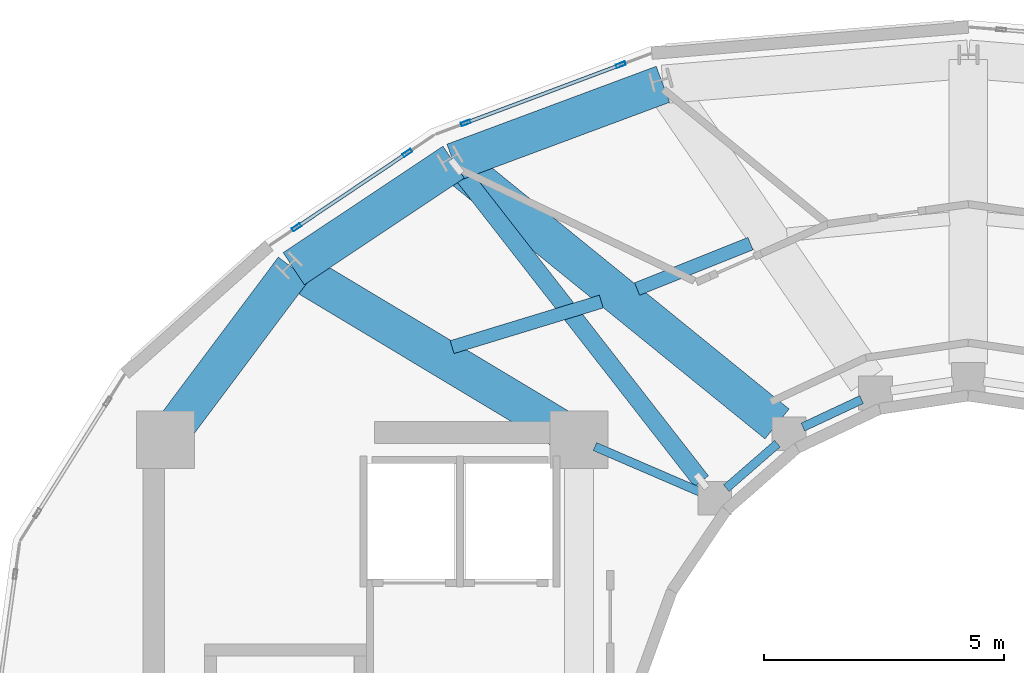
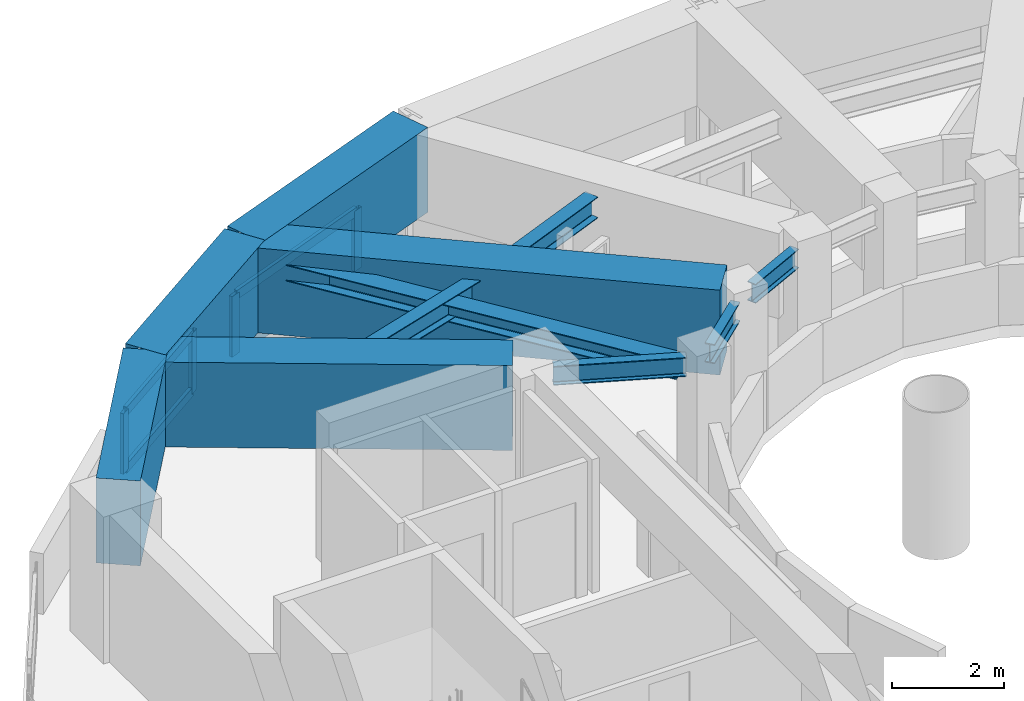
# One storey, part 7 of 17: 10 beams, 9 members, 2 elements without a shape of their own.
"""IFC4 building model written with IfcOpenShell, lengths in metres."""

from ifc_helpers import new_model, si_unit, direction, frame, origin, origin_2d, place, context, subcontext, project, spatial, rectangle, hollow_rectangle, i_section, extrude, material, layer, layer_set, material_profile, profile_set, type_object, element, aggregate, save


model = new_model("IFC4")

# Units and contexts
model_context = context("Model", 3, precision=1e-05, world=origin(), true_north=direction((0.0, 1.0)))
body_context = subcontext(model_context, "Body", "Model", "MODEL_VIEW")
ifc_project = project(units=[si_unit("LENGTHUNIT", "METRE"), si_unit("AREAUNIT", "SQUARE_METRE"), si_unit("VOLUMEUNIT", "CUBIC_METRE"), si_unit("PLANEANGLEUNIT", "RADIAN"), si_unit("MASSUNIT", "GRAM", prefix="KILO")], contexts=[model_context])

# Site, building, storey
site_placement = place(None, origin())
site = spatial("IfcSite", under=ifc_project, at=site_placement, CompositionType="ELEMENT")
building_placement = place(site_placement, origin())
building = spatial("IfcBuilding", under=site, at=building_placement, Name="Solvane Sanctuary Tower", CompositionType="ELEMENT")
storey_placement = place(building_placement, frame((0.0, 0.0, 270.0)))
storey = spatial("IfcBuildingStorey", under=building, at=storey_placement, Name="L82", CompositionType="ELEMENT", Elevation=270.0)

# Beams
ifc_material_1 = material(Name="Steel ASTM A992 Grade 50", Category="steel")
ifc_material_profile_1 = material_profile(ifc_material_1, i_section(OverallWidth=0.180908203125, OverallDepth=0.4169921875, WebThickness=0.010986328125, FlangeThickness=0.018310546875, FilletRadius=0.012939453125, at=origin_2d()), Name="W16X57")
ifc_profile_set_1 = profile_set([ifc_material_profile_1], Name="Steel ASTM A992 Grade 50")
beam_type_1 = type_object("IfcBeamType", Name="Beam B-ROOF-BM W16X57", PredefinedType="BEAM", material=ifc_profile_set_1)
beam_1_placement = place(storey_placement, frame((24.230712890625, 30.0576171875, 2.7294921875), z_axis=(0.918283854026, -0.395922673554, 0.0), x_axis=(0.395922673554, 0.918283854026, 0.0)))
element("IfcBeam", 1, at=beam_1_placement, inside=storey, type_object=beam_type_1, Name="L82 Inner Light-Well Ring Beam CW3-IC07", PredefinedType="BEAM", context=body_context, shape_type="SweptSolid", body=[
    extrude(i_section(OverallWidth=0.180908203125, OverallDepth=0.4169921875, WebThickness=0.010986328125, FlangeThickness=0.018310546875, FilletRadius=0.012939453125, at=origin_2d()), origin(), (0.0, 0.0, 1.0), 2.396240234375),
])
beam_2_placement = place(storey_placement, frame((26.96630859375, 29.192138671875, 2.7294921875), z_axis=(0.754388985763, 0.656427648839, 0.0), x_axis=(-0.656427648839, 0.754388985763, 0.0)))
element("IfcBeam", 2, at=beam_2_placement, inside=storey, type_object=beam_type_1, Name="L82 Inner Light-Well Ring Beam IC07-IC06", PredefinedType="BEAM", context=body_context, shape_type="SweptSolid", body=[
    extrude(i_section(OverallWidth=0.180908203125, OverallDepth=0.4169921875, WebThickness=0.010986328125, FlangeThickness=0.018310546875, FilletRadius=0.012939453125, at=origin_2d()), origin(), (0.0, 0.0, 1.0), 1.408203125),
])
beam_3_placement = place(storey_placement, frame((28.5595703125, 30.462646484375, 2.7294921875), z_axis=(0.905134542189, 0.425125229241, 0.0), x_axis=(-0.425125229241, 0.905134542189, 0.0)))
element("IfcBeam", 3, at=beam_3_placement, inside=storey, type_object=beam_type_1, Name="L82 Inner Light-Well Ring Beam IC06-IC05", PredefinedType="BEAM", context=body_context, shape_type="SweptSolid", body=[
    extrude(i_section(OverallWidth=0.180908203125, OverallDepth=0.4169921875, WebThickness=0.010986328125, FlangeThickness=0.018310546875, FilletRadius=0.012939453125, at=origin_2d()), origin(), (0.0, 0.0, 1.0), 1.347900390625),
])
ifc_material_profile_2 = material_profile(ifc_material_1, i_section(OverallWidth=0.280029296875, OverallDepth=0.462890625, WebThickness=0.0107421875, FlangeThickness=0.017333984375, FilletRadius=0.013916015625, at=origin_2d()), Name="W18X76")
ifc_profile_set_2 = profile_set([ifc_material_profile_2], Name="Steel ASTM A992 Grade 50")
beam_type_2 = type_object("IfcBeamType", Name="Beam B-SEC-JOIST W18X76", PredefinedType="JOIST", material=ifc_profile_set_2)
beam_4_placement = place(storey_placement, frame((21.260498046875, 32.126708984375, 2.70654296875), z_axis=(0.956493340027, 0.291754161041, 0.0), x_axis=(-0.291754161041, 0.956493340027, 0.0)))
element("IfcBeam", 4, at=beam_4_placement, inside=storey, type_object=beam_type_2, Name="L82 Secondary Circumferential Joist 07-06", PredefinedType="JOIST", context=body_context, shape_type="SweptSolid", body=[
    extrude(i_section(OverallWidth=0.280029296875, OverallDepth=0.462890625, WebThickness=0.0107421875, FlangeThickness=0.017333984375, FilletRadius=0.013916015625, at=origin_2d()), origin(), (0.0, 0.0, 1.0), 3.245849609375),
])
beam_5_placement = place(storey_placement, frame((25.109619140625, 33.335693359375, 2.70654296875), z_axis=(0.928403778537, 0.371572905361, 0.0), x_axis=(-0.371572905361, 0.928403778537, 0.0)))
element("IfcBeam", 5, at=beam_5_placement, inside=storey, type_object=beam_type_2, Name="L82 Secondary Circumferential Joist 06-05", PredefinedType="JOIST", context=body_context, shape_type="SweptSolid", body=[
    extrude(i_section(OverallWidth=0.280029296875, OverallDepth=0.462890625, WebThickness=0.0107421875, FlangeThickness=0.017333984375, FilletRadius=0.013916015625, at=origin_2d()), origin(), (0.0, 0.0, 1.0), 2.540771484375),
])
ifc_material_2 = material(Name="Concrete C70/85", Category="concrete")
ifc_material_profile_3 = material_profile(ifc_material_2, rectangle(XDim=0.800048828125, YDim=1.85009765625, at=origin_2d()), Name="RC800X1850")
ifc_profile_set_3 = profile_set([ifc_material_profile_3], Name="Concrete C70/85")
beam_type_3 = type_object("IfcBeamType", Name="Beam B-XFER-BLK RC800X1850", PredefinedType="BEAM", material=ifc_profile_set_3)
beam_6_placement = place(storey_placement, frame((28.021484375, 30.5283203125, 2.27490234375), z_axis=(-0.776498254758, 0.630119401667, 0.0), x_axis=(-0.630119401667, -0.776498254758, 0.0)))
element("IfcBeam", 6, at=beam_6_placement, inside=storey, type_object=beam_type_3, Name="L82 Block-Shift Radial Transfer Girder 06A", PredefinedType="BEAM", context=body_context, shape_type="SweptSolid", body=[
    extrude(rectangle(XDim=0.800048828125, YDim=1.85009765625, at=origin_2d()), origin(), (0.0, 0.0, 1.0), 8.66455078125),
])
beam_7_placement = place(storey_placement, frame((23.59130859375, 30.38525390625, 2.27490234375), z_axis=(-0.857355357387, 0.514724966521, 0.0), x_axis=(-0.514724966521, -0.857355357387, 0.0)))
element("IfcBeam", 7, at=beam_7_placement, inside=storey, type_object=beam_type_3, Name="L82 Block-Shift Radial Transfer Girder 07A", PredefinedType="BEAM", context=body_context, shape_type="SweptSolid", body=[
    extrude(rectangle(XDim=0.800048828125, YDim=1.85009765625, at=origin_2d()), origin(), (0.0, 0.0, 1.0), 6.578125),
])
beam_8_placement = place(storey_placement, frame((15.515869140625, 30.488037109375, 2.27490234375), z_axis=(0.59952185293, 0.800358387136, 0.0), x_axis=(-0.800358387136, 0.59952185293, 0.0)))
element("IfcBeam", 8, at=beam_8_placement, inside=storey, type_object=beam_type_3, Name="L82 Perimeter Step Transfer Ring CW4-NTC07", PredefinedType="BEAM", context=body_context, shape_type="SweptSolid", body=[
    extrude(rectangle(XDim=0.800048828125, YDim=1.85009765625, at=origin_2d()), origin(), (0.0, 0.0, 1.0), 4.085693359375),
])
beam_9_placement = place(storey_placement, frame((17.96533203125, 33.758056640625, 2.27490234375), z_axis=(0.832388474479, 0.55419259067, 0.0), x_axis=(-0.55419259067, 0.832388474479, 0.0)))
element("IfcBeam", 9, at=beam_9_placement, inside=storey, type_object=beam_type_3, Name="L82 Perimeter Step Transfer Ring NTC07-NTC06", PredefinedType="BEAM", context=body_context, shape_type="SweptSolid", body=[
    extrude(rectangle(XDim=0.800048828125, YDim=1.85009765625, at=origin_2d()), origin(), (0.0, 0.0, 1.0), 3.99658203125),
])
beam_10_placement = place(storey_placement, frame((21.2919921875, 35.972900390625, 2.27490234375), z_axis=(0.937181506682, 0.348842118348, 0.0), x_axis=(-0.348842118348, 0.937181506682, 0.0)))
element("IfcBeam", 10, at=beam_10_placement, inside=storey, type_object=beam_type_3, Name="L82 Perimeter Step Transfer Ring NTC06-NTC05", PredefinedType="BEAM", context=body_context, shape_type="SweptSolid", body=[
    extrude(rectangle(XDim=0.800048828125, YDim=1.85009765625, at=origin_2d()), origin(), (0.0, 0.0, 1.0), 4.646484375),
])

# Member
ifc_material_profile_4 = material_profile(ifc_material_1, i_section(OverallWidth=0.368896484375, OverallDepth=0.35595703125, WebThickness=0.01123046875, FlangeThickness=0.01806640625, FilletRadius=0.02490234375, at=origin_2d()), Name="W14X90")
ifc_profile_set_4 = profile_set([ifc_material_profile_4], Name="Steel ASTM A992 Grade 50")
member_type_1 = type_object("IfcMemberType", Name="Member M-CROWN-TIE W14X90", PredefinedType="CHORD", material=ifc_profile_set_4)
member_1_placement = place(storey_placement, frame((26.4462890625, 29.33984375, 2.54052734375), z_axis=(-0.614546206498, 0.788532701367, 0.02343371403), x_axis=(-0.788749297589, -0.614715011654, 0.0)))
element("IfcMember", 11, at=member_1_placement, inside=storey, type_object=member_type_1, Name="L82 Crown Bracing Tie 07", PredefinedType="CHORD", context=body_context, shape_type="SweptSolid", body=[
    extrude(i_section(OverallWidth=0.368896484375, OverallDepth=0.35595703125, WebThickness=0.01123046875, FlangeThickness=0.01806640625, FilletRadius=0.02490234375, at=origin_2d()), origin(), (0.0, 0.0, 1.0), 8.29296875),
])

# Curtain wall, members
ifc_material_3 = material(Name="Anodised Aluminium 6063-T6", Category="aluminium")
ifc_layer = layer(ifc_material_3, 0.219970703125, Name="Anodised Aluminium 6063-T6")
ifc_layer_set = layer_set([ifc_layer], Name="Anodised Aluminium 6063-T6")
curtain_wall_type = type_object("IfcCurtainWallType", Name="Curtain Wall CW-CROWN", PredefinedType="NOTDEFINED", material=ifc_layer_set)
curtain_wall_1_placement = place(storey_placement, origin())
curtain_wall_1 = element("IfcCurtainWall", 12, at=curtain_wall_1_placement, inside=storey, type_object=curtain_wall_type, Name="L82 Crown Fritted Lantern Curtain Wall 07", PredefinedType="NOTDEFINED")
ifc_material_profile_5 = material_profile(ifc_material_3, hollow_rectangle(XDim=0.074951171875, YDim=0.199951171875, WallThickness=0.00390625, at=origin_2d()), Name="ALU200X75X4")
ifc_profile_set_5 = profile_set([ifc_material_profile_5], Name="Anodised Aluminium 6063-T6")
member_type_2 = type_object("IfcMemberType", Name="Member M-CW-MUL-1 ALU200X75X4", PredefinedType="MULLION", material=ifc_profile_set_5)
member_2_placement = place(storey_placement, frame((24.770751953125, 38.000244140625, 0.0), z_axis=(0.0, 0.0, 1.0), x_axis=(0.351170134187, -0.936311666517, 0.0)))
member_2 = element("IfcMember", 13, at=member_2_placement, type_object=member_type_2, Name="CW-CROWN mullion 1", PredefinedType="MULLION", context=body_context, shape_type="SweptSolid", body=[
    extrude(hollow_rectangle(XDim=0.074951171875, YDim=0.199951171875, WallThickness=0.00390625, at=origin_2d()), origin(), (0.0, 0.0, 1.0), 1.320068359375),
])
member_3_placement = place(storey_placement, frame((21.544677734375, 36.790283203125, 0.0), z_axis=(0.0, 0.0, 1.0), x_axis=(0.351170134187, -0.936311666517, 0.0)))
member_3 = element("IfcMember", 14, at=member_3_placement, type_object=member_type_2, Name="CW-CROWN mullion 2", PredefinedType="MULLION", context=body_context, shape_type="SweptSolid", body=[
    extrude(hollow_rectangle(XDim=0.074951171875, YDim=0.199951171875, WallThickness=0.00390625, at=origin_2d()), origin(), (0.0, 0.0, 1.0), 1.320068359375),
])

curtain_wall_2_placement = place(storey_placement, origin())
curtain_wall_2 = element("IfcCurtainWall", 15, at=curtain_wall_2_placement, inside=storey, type_object=curtain_wall_type, Name="L82 Crown Fritted Lantern Curtain Wall 08", PredefinedType="NOTDEFINED")
member_4_placement = place(storey_placement, frame((20.330078125, 36.165771484375, 0.0), z_axis=(0.0, 0.0, 1.0), x_axis=(0.557125161397, -0.830428536684, 0.0)))
member_4 = element("IfcMember", 16, at=member_4_placement, type_object=member_type_2, Name="CW-CROWN mullion 1", PredefinedType="MULLION", context=body_context, shape_type="SweptSolid", body=[
    extrude(hollow_rectangle(XDim=0.074951171875, YDim=0.199951171875, WallThickness=0.00390625, at=origin_2d()), origin(), (0.0, 0.0, 1.0), 1.320068359375),
])
member_5_placement = place(storey_placement, frame((18.02392578125, 34.61865234375, 0.0), z_axis=(0.0, 0.0, 1.0), x_axis=(0.557125161397, -0.830428536684, 0.0)))
member_5 = element("IfcMember", 17, at=member_5_placement, type_object=member_type_2, Name="CW-CROWN mullion 2", PredefinedType="MULLION", context=body_context, shape_type="SweptSolid", body=[
    extrude(hollow_rectangle(XDim=0.074951171875, YDim=0.199951171875, WallThickness=0.00390625, at=origin_2d()), origin(), (0.0, 0.0, 1.0), 1.320068359375),
])

# Member
ifc_material_profile_6 = material_profile(ifc_material_3, hollow_rectangle(XDim=0.074951171875, YDim=0.199951171875, WallThickness=0.00390625, at=origin_2d()), Name="ALU200X75X4")
ifc_profile_set_6 = profile_set([ifc_material_profile_6], Name="Anodised Aluminium 6063-T6")
member_type_3 = type_object("IfcMemberType", Name="Member M-CW-TRN-2 ALU200X75X4", PredefinedType="USERDEFINED", material=ifc_profile_set_6)
member_6_placement = place(storey_placement, frame((24.735595703125, 37.987060546875, 0.03759765625), z_axis=(-0.936287496368, -0.351234571398, 0.0), x_axis=(0.351234571398, -0.936287496368, 0.0)))
member_6 = element("IfcMember", 18, at=member_6_placement, type_object=member_type_3, Name="CW-CROWN transom 1.1", ObjectType="TRANSOM", PredefinedType="USERDEFINED", context=body_context, shape_type="SweptSolid", body=[
    extrude(hollow_rectangle(XDim=0.074951171875, YDim=0.199951171875, WallThickness=0.00390625, at=origin_2d()), origin(), (0.0, 0.0, 1.0), 3.37060546875),
])

member_7_placement = place(storey_placement, frame((24.735595703125, 37.987060546875, 1.282470703125), z_axis=(-0.936287496368, -0.351234571398, 0.0), x_axis=(0.351234571398, -0.936287496368, 0.0)))
member_7 = element("IfcMember", 19, at=member_7_placement, type_object=member_type_3, Name="CW-CROWN transom 1.2", ObjectType="TRANSOM", PredefinedType="USERDEFINED", context=body_context, shape_type="SweptSolid", body=[
    extrude(hollow_rectangle(XDim=0.074951171875, YDim=0.199951171875, WallThickness=0.00390625, at=origin_2d()), origin(), (0.0, 0.0, 1.0), 3.37060546875),
])

aggregate(curtain_wall_1, [member_2, member_3, member_6, member_7])

member_8_placement = place(storey_placement, frame((20.298828125, 36.14501953125, 0.03759765625), z_axis=(-0.830392523635, -0.55717883726, 0.0), x_axis=(0.55717883726, -0.830392523635, 0.0)))
member_8 = element("IfcMember", 20, at=member_8_placement, type_object=member_type_3, Name="CW-CROWN transom 1.1", ObjectType="TRANSOM", PredefinedType="USERDEFINED", context=body_context, shape_type="SweptSolid", body=[
    extrude(hollow_rectangle(XDim=0.074951171875, YDim=0.199951171875, WallThickness=0.00390625, at=origin_2d()), origin(), (0.0, 0.0, 1.0), 2.7021484375),
])

member_9_placement = place(storey_placement, frame((20.298828125, 36.14501953125, 1.282470703125), z_axis=(-0.830392523635, -0.55717883726, 0.0), x_axis=(0.55717883726, -0.830392523635, 0.0)))
member_9 = element("IfcMember", 21, at=member_9_placement, type_object=member_type_3, Name="CW-CROWN transom 1.2", ObjectType="TRANSOM", PredefinedType="USERDEFINED", context=body_context, shape_type="SweptSolid", body=[
    extrude(hollow_rectangle(XDim=0.074951171875, YDim=0.199951171875, WallThickness=0.00390625, at=origin_2d()), origin(), (0.0, 0.0, 1.0), 2.7021484375),
])

aggregate(curtain_wall_2, [member_4, member_5, member_8, member_9])

save(model, "model.ifc")
